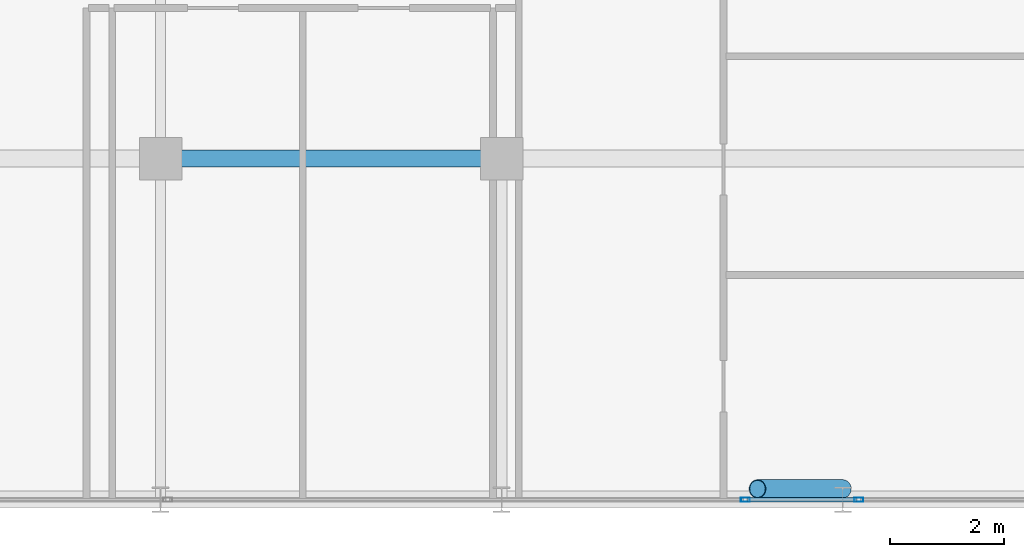
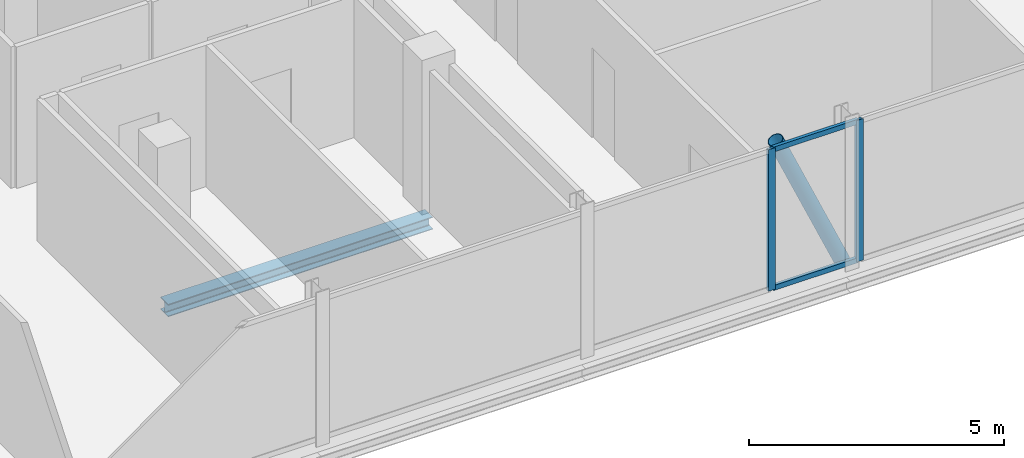
# One storey, part 10 of 29: 5 members, 1 beam, 2 elements without a shape of their own.
"""IFC4 building model written with IfcOpenShell, lengths in metres."""

from ifc_helpers import new_model, si_unit, direction, frame, origin, origin_2d, place, context, subcontext, project, spatial, hollow_rectangle, hollow_circle, i_section, extrude, material, layer, layer_set, material_profile, profile_set, type_object, element, aggregate, save


model = new_model("IFC4")

# Units and contexts
model_context = context("Model", 3, precision=1e-05, world=origin(), true_north=direction((0.0, 1.0)))
body_context = subcontext(model_context, "Body", "Model", "MODEL_VIEW")
ifc_project = project(units=[si_unit("LENGTHUNIT", "METRE"), si_unit("AREAUNIT", "SQUARE_METRE"), si_unit("VOLUMEUNIT", "CUBIC_METRE"), si_unit("PLANEANGLEUNIT", "RADIAN"), si_unit("MASSUNIT", "GRAM", prefix="KILO")], contexts=[model_context])

# Site, building, storey
site_placement = place(None, origin())
site = spatial("IfcSite", under=ifc_project, at=site_placement, CompositionType="ELEMENT")
building_placement = place(site_placement, origin())
building = spatial("IfcBuilding", under=site, at=building_placement, Name="Keshet Zoharim Tower", CompositionType="ELEMENT")
storey_placement = place(building_placement, frame((0.0, 0.0, 206.89990234375)))
storey = spatial("IfcBuildingStorey", under=building, at=storey_placement, Name="L51", CompositionType="ELEMENT", Elevation=206.89990234375)

# Beam
ifc_material_1 = material(Name="Steel S355", Category="steel")
ifc_material_profile_1 = material_profile(ifc_material_1, i_section(OverallWidth=0.300048828125, OverallDepth=0.300048828125, WebThickness=0.010986328125, FlangeThickness=0.01904296875, FilletRadius=0.027099609375, at=origin_2d()), Name="HEB300")
ifc_profile_set_1 = profile_set([ifc_material_profile_1], Name="Steel S355")
beam_type = type_object("IfcBeamType", Name="BM-PRI-HB300", PredefinedType="BEAM", material=ifc_profile_set_1)
beam_placement = place(storey_placement, frame((33.0, 6.699951171875, -0.4599609375), z_axis=(1.0, 0.0, 0.0), x_axis=(0.0, 1.0, 0.0)))
element("IfcBeam", 1, at=beam_placement, inside=storey, type_object=beam_type, Name="L51 Primary Girder X-007", PredefinedType="BEAM", context=body_context, shape_type="SweptSolid", body=[
    extrude(i_section(OverallWidth=0.300048828125, OverallDepth=0.300048828125, WebThickness=0.010986328125, FlangeThickness=0.01904296875, FilletRadius=0.027099609375, at=origin_2d()), origin(), (0.0, 0.0, 1.0), 6.0),
])

# Curtain wall, member
ifc_material_2 = material(Name="Aluminium 6063-T6", Category="aluminium")
ifc_layer = layer(ifc_material_2, 0.139892578125)
ifc_layer_set = layer_set([ifc_layer], Name="Aluminium 6063-T6")
curtain_wall_type = type_object("IfcCurtainWallType", Name="CW-SYS-05", PredefinedType="NOTDEFINED", material=ifc_layer_set)
curtain_wall_1_placement = place(storey_placement, origin())
curtain_wall_1 = element("IfcCurtainWall", 2, at=curtain_wall_1_placement, inside=storey, type_object=curtain_wall_type, Name="L51 Unitised Curtain Wall 06", PredefinedType="NOTDEFINED")
ifc_material_profile_2 = material_profile(ifc_material_2, hollow_rectangle(XDim=0.074951171875, YDim=0.159912109375, WallThickness=0.00390625, at=origin_2d()), Name="MUL-75x160")
ifc_profile_set_2 = profile_set([ifc_material_profile_2], Name="Aluminium 6063-T6")
member_type_1 = type_object("IfcMemberType", Name="CWM-M15", PredefinedType="MULLION", material=ifc_profile_set_2)
member_1_placement = place(storey_placement, frame((45.283203125, 0.699951171875, 0.0), z_axis=(0.0, 0.0, 1.0), x_axis=(0.0, -1.0, 0.0)))
member_1 = element("IfcMember", 3, at=member_1_placement, type_object=member_type_1, Name="CW-05 mullion 2", PredefinedType="MULLION", context=body_context, shape_type="SweptSolid", body=[
    extrude(hollow_rectangle(XDim=0.074951171875, YDim=0.159912109375, WallThickness=0.00390625, at=origin_2d()), origin(), (0.0, 0.0, 1.0), 3.39013671875),
])
aggregate(curtain_wall_1, [member_1])

# Curtain wall, members
curtain_wall_2_placement = place(storey_placement, origin())
curtain_wall_2 = element("IfcCurtainWall", 4, at=curtain_wall_2_placement, inside=storey, type_object=curtain_wall_type, Name="L51 Unitised Curtain Wall 06 Part 2", PredefinedType="NOTDEFINED")
member_2_placement = place(storey_placement, frame((43.286865234375, 0.699951171875, 0.0), z_axis=(0.0, 0.0, 1.0), x_axis=(0.0, -1.0, 0.0)))
member_2 = element("IfcMember", 5, at=member_2_placement, type_object=member_type_1, Name="CW-05 mullion 2", PredefinedType="MULLION", context=body_context, shape_type="SweptSolid", body=[
    extrude(hollow_rectangle(XDim=0.074951171875, YDim=0.159912109375, WallThickness=0.00390625, at=origin_2d()), origin(), (0.0, 0.0, 1.0), 3.39013671875),
])
ifc_material_profile_3 = material_profile(ifc_material_2, hollow_rectangle(XDim=0.074951171875, YDim=0.1201171875, WallThickness=0.00390625, at=origin_2d()), Name="TRN-75x120")
ifc_profile_set_3 = profile_set([ifc_material_profile_3], Name="Aluminium 6063-T6")
member_type_2 = type_object("IfcMemberType", Name="CWT-T12", PredefinedType="USERDEFINED", material=ifc_profile_set_3)
member_3_placement = place(storey_placement, frame((45.248046875, 0.699951171875, 0.03515625), z_axis=(-1.0, 0.0, 0.0), x_axis=(0.0, -1.0, 0.0)))
member_3 = element("IfcMember", 6, at=member_3_placement, type_object=member_type_2, Name="CW-05 transom 1.1", ObjectType="TRANSOM", PredefinedType="USERDEFINED", context=body_context, shape_type="SweptSolid", body=[
    extrude(hollow_rectangle(XDim=0.074951171875, YDim=0.1201171875, WallThickness=0.00390625, at=origin_2d()), origin(), (0.0, 0.0, 1.0), 1.926025390625),
])
member_4_placement = place(storey_placement, frame((45.248046875, 0.699951171875, 3.35498046875), z_axis=(-1.0, 0.0, 0.0), x_axis=(0.0, -1.0, 0.0)))
member_4 = element("IfcMember", 7, at=member_4_placement, type_object=member_type_2, Name="CW-05 transom 1.2", ObjectType="TRANSOM", PredefinedType="USERDEFINED", context=body_context, shape_type="SweptSolid", body=[
    extrude(hollow_rectangle(XDim=0.074951171875, YDim=0.1201171875, WallThickness=0.00390625, at=origin_2d()), origin(), (0.0, 0.0, 1.0), 1.926025390625),
])
aggregate(curtain_wall_2, [member_2, member_3, member_4])

# Member
ifc_material_profile_4 = material_profile(ifc_material_1, hollow_circle(Radius=0.161865234375, WallThickness=0.012451171875, at=origin_2d()), Name="CHS323x12.5")
ifc_profile_set_4 = profile_set([ifc_material_profile_4], Name="Steel S355")
member_type_3 = type_object("IfcMemberType", Name="MB-BR-C323", PredefinedType="BRACE", material=ifc_profile_set_4)
member_5_placement = place(storey_placement, frame((45.0, 0.889892578125, 0.0), z_axis=(-0.404622528463, 0.0, 0.914483793984), x_axis=(0.0, -1.0, 0.0)))
element("IfcMember", 8, at=member_5_placement, inside=storey, type_object=member_type_3, Name="L51 Perimeter Tube Brace 03", PredefinedType="BRACE", context=body_context, shape_type="SweptSolid", body=[
    extrude(hollow_circle(Radius=0.161865234375, WallThickness=0.012451171875, at=origin_2d()), origin(), (0.0, 0.0, 1.0), 3.707275390625),
])

save(model, "model.ifc")
